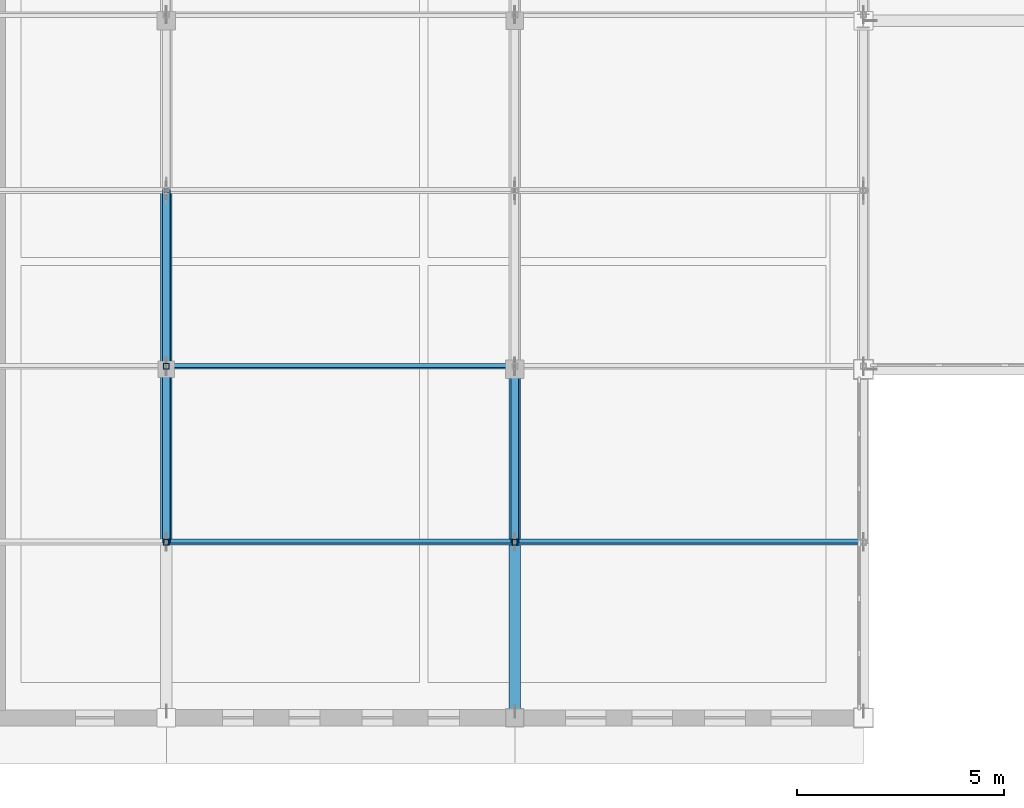
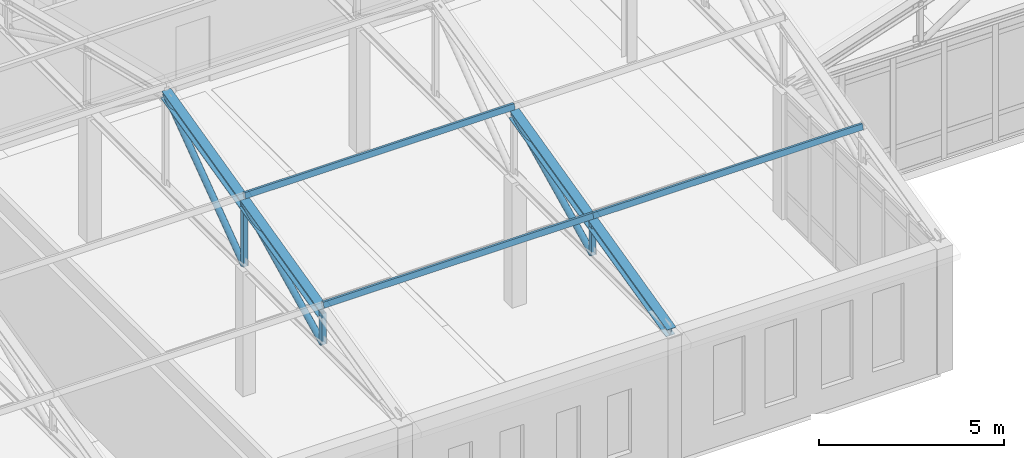
# One storey, part 27 of 192: 13 members.
"""IFC4 building model written with IfcOpenShell, lengths in metres."""

from ifc_helpers import new_model, si_unit, direction, frame, origin, origin_2d, place, context, subcontext, project, spatial, hollow_rectangle, hollow_circle, i_section, extrude, material, material_profile, profile_set, type_object, element, save


model = new_model("IFC4")

# Units and contexts
model_context = context("Model", 3, precision=1e-05, world=origin(), true_north=direction((0.0, 1.0)))
body_context = subcontext(model_context, "Body", "Model", "MODEL_VIEW")
ifc_project = project(units=[si_unit("LENGTHUNIT", "METRE"), si_unit("AREAUNIT", "SQUARE_METRE"), si_unit("VOLUMEUNIT", "CUBIC_METRE"), si_unit("PLANEANGLEUNIT", "RADIAN"), si_unit("MASSUNIT", "GRAM", prefix="KILO")], contexts=[model_context])

# Site, building, storey
site_placement = place(None, origin())
site = spatial("IfcSite", under=ifc_project, at=site_placement, CompositionType="ELEMENT")
building_placement = place(site_placement, origin())
building = spatial("IfcBuilding", under=site, at=building_placement, Name="Kveldsbrygga Polytechnic", CompositionType="ELEMENT")
storey_placement = place(building_placement, frame((0.0, 0.0, 5.43994140625)))
storey = spatial("IfcBuildingStorey", under=building, at=storey_placement, Name="L01", CompositionType="ELEMENT", Elevation=5.43994140625)

# Members
ifc_material = material(Name="Steel S355", Category="steel")
ifc_material_profile_1 = material_profile(ifc_material, hollow_rectangle(XDim=0.10009765625, YDim=0.179931640625, WallThickness=0.008056640625, at=origin_2d()), Name="RHS 180x100x8.0")
ifc_profile_set_1 = profile_set([ifc_material_profile_1], Name="Steel S355")
member_type_1 = type_object("IfcMemberType", Name="PRL-RHS180", PredefinedType="PURLIN", material=ifc_profile_set_1)
for number, where, z_axis, x_axis, name in (
    (1, (33.60009765625, 4.236572265625, 5.39013671875), (1.0, 0.0, 0.0), (0.0, 0.971520177509, -0.236956841415), "Roof Purlin V5S-PRL-5-1"),
    (2, (33.60009765625, 8.473388671875, 6.423583984375), (1.0, 0.0, 0.0), (0.0, 0.971520177509, -0.236956841415), "Roof Purlin V5S-PRL-5-2"),
    (3, (42.0, 4.236572265625, 5.39013671875), (1.0, 0.0, 0.0), (0.0, 0.971520177509, -0.236956841415), "Roof Purlin V5S-PRL-6-1"),
):
    element("IfcMember", number, at=place(storey_placement, frame(where, z_axis=z_axis, x_axis=x_axis)), inside=storey, type_object=member_type_1, Name=name, PredefinedType="PURLIN", context=body_context, shape_type="SweptSolid", body=[
        extrude(hollow_rectangle(XDim=0.10009765625, YDim=0.179931640625, WallThickness=0.008056640625, at=origin_2d()), origin(), (0.0, 0.0, 1.0), 8.39990234375),
    ])
ifc_material_profile_2 = material_profile(ifc_material, hollow_circle(Radius=0.096923828125, WallThickness=0.010009765625, at=origin_2d()), Name="CHS 193.7x10.0")
ifc_profile_set_2 = profile_set([ifc_material_profile_2], Name="Steel S355")
member_type_2 = type_object("IfcMemberType", Name="TR-DIAG-CHS194", PredefinedType="BRACE", material=ifc_profile_set_2)
member_1_placement = place(storey_placement, frame((33.60009765625, 4.236572265625, 4.1201171875), z_axis=(0.0, 0.898775911737, 0.438408326199), x_axis=(-1.0, 0.0, 0.0)))
element("IfcMember", 4, at=member_1_placement, inside=storey, type_object=member_type_2, Name="Truss Diagonal V5S-T05-DG-2", PredefinedType="BRACE", context=body_context, shape_type="SweptSolid", body=[
    extrude(hollow_circle(Radius=0.096923828125, WallThickness=0.010009765625, at=origin_2d()), origin(), (0.0, 0.0, 1.0), 4.7138671875),
])
member_2_placement = place(storey_placement, frame((33.60009765625, 8.473388671875, 4.1201171875), z_axis=(0.0, 0.807037353017, 0.590500390207), x_axis=(-1.0, 0.0, 0.0)))
element("IfcMember", 5, at=member_2_placement, inside=storey, type_object=member_type_2, Name="Truss Diagonal V5S-T05-DG-3", PredefinedType="BRACE", context=body_context, shape_type="SweptSolid", body=[
    extrude(hollow_circle(Radius=0.096923828125, WallThickness=0.010009765625, at=origin_2d()), origin(), (0.0, 0.0, 1.0), 5.24951171875),
])
member_3_placement = place(storey_placement, frame((42.0, 4.236572265625, 4.1201171875), z_axis=(0.0, 0.898775911737, 0.438408326199), x_axis=(-1.0, 0.0, 0.0)))
element("IfcMember", 6, at=member_3_placement, inside=storey, type_object=member_type_2, Name="Truss Diagonal V5S-T06-DG-2", PredefinedType="BRACE", context=body_context, shape_type="SweptSolid", body=[
    extrude(hollow_circle(Radius=0.096923828125, WallThickness=0.010009765625, at=origin_2d()), origin(), (0.0, 0.0, 1.0), 4.7138671875),
])
ifc_material_profile_3 = material_profile(ifc_material, hollow_rectangle(XDim=0.139892578125, YDim=0.139892578125, WallThickness=0.008056640625, at=origin_2d()), Name="SHS 140x140x8.0")
ifc_profile_set_3 = profile_set([ifc_material_profile_3], Name="Steel S355")
member_type_3 = type_object("IfcMemberType", Name="TR-POST-SHS140", PredefinedType="STRUT", material=ifc_profile_set_3)
member_4_placement = place(storey_placement, frame((33.60009765625, 4.236572265625, 4.1201171875), z_axis=(0.0, 0.0, 1.0), x_axis=(1.0, 0.0, 0.0)))
element("IfcMember", 7, at=member_4_placement, inside=storey, type_object=member_type_3, Name="Truss Vertical V5S-T05-VT-1", PredefinedType="STRUT", context=body_context, shape_type="SweptSolid", body=[
    extrude(hollow_rectangle(XDim=0.139892578125, YDim=0.139892578125, WallThickness=0.008056640625, at=origin_2d()), origin(), (0.0, 0.0, 1.0), 1.033203125),
])
member_5_placement = place(storey_placement, frame((33.60009765625, 8.473388671875, 4.1201171875), z_axis=(0.0, 0.0, 1.0), x_axis=(1.0, 0.0, 0.0)))
element("IfcMember", 8, at=member_5_placement, inside=storey, type_object=member_type_3, Name="Truss Vertical V5S-T05-VT-2", PredefinedType="STRUT", context=body_context, shape_type="SweptSolid", body=[
    extrude(hollow_rectangle(XDim=0.139892578125, YDim=0.139892578125, WallThickness=0.008056640625, at=origin_2d()), origin(), (0.0, 0.0, 1.0), 2.066650390625),
])
member_6_placement = place(storey_placement, frame((42.0, 4.236572265625, 4.1201171875), z_axis=(0.0, 0.0, 1.0), x_axis=(1.0, 0.0, 0.0)))
element("IfcMember", 9, at=member_6_placement, inside=storey, type_object=member_type_3, Name="Truss Vertical V5S-T06-VT-1", PredefinedType="STRUT", context=body_context, shape_type="SweptSolid", body=[
    extrude(hollow_rectangle(XDim=0.139892578125, YDim=0.139892578125, WallThickness=0.008056640625, at=origin_2d()), origin(), (0.0, 0.0, 1.0), 1.033203125),
])
ifc_material_profile_4 = material_profile(ifc_material, i_section(OverallWidth=0.280029296875, OverallDepth=0.280029296875, WebThickness=0.010498046875, FlangeThickness=0.01806640625, FilletRadius=0.02392578125, at=origin_2d()), Name="HEB 280")
ifc_profile_set_4 = profile_set([ifc_material_profile_4], Name="Steel S355")
member_type_4 = type_object("IfcMemberType", Name="TR-TOP-HEB280", PredefinedType="CHORD", material=ifc_profile_set_4)
member_7_placement = place(storey_placement, frame((33.60009765625, 4.236572265625, 5.1533203125), z_axis=(0.0, 0.971516252342, 0.236972933973), x_axis=(-1.0, 0.0, 0.0)))
element("IfcMember", 10, at=member_7_placement, inside=storey, type_object=member_type_4, Name="Truss Top Chord V5S-T05-TC-2", PredefinedType="CHORD", context=body_context, shape_type="SweptSolid", body=[
    extrude(i_section(OverallWidth=0.280029296875, OverallDepth=0.280029296875, WebThickness=0.010498046875, FlangeThickness=0.01806640625, FilletRadius=0.02392578125, at=origin_2d()), origin(), (0.0, 0.0, 1.0), 4.361083984375),
])
for number, where, z_axis, x_axis, name in (
    (11, (33.60009765625, 8.473388671875, 6.186767578125), (0.0, 0.971525996838, 0.236932980961), (-1.0, 0.0, 0.0), "Truss Top Chord V5S-T05-TC-3"),
    (12, (42.0, 0.0, 4.1201171875), (0.0, 0.971525996838, 0.236932980961), (-1.0, 0.0, 0.0), "Truss Top Chord V5S-T06-TC-1"),
):
    element("IfcMember", number, at=place(storey_placement, frame(where, z_axis=z_axis, x_axis=x_axis)), inside=storey, type_object=member_type_4, Name=name, PredefinedType="CHORD", context=body_context, shape_type="SweptSolid", body=[
        extrude(i_section(OverallWidth=0.280029296875, OverallDepth=0.280029296875, WebThickness=0.010498046875, FlangeThickness=0.01806640625, FilletRadius=0.02392578125, at=origin_2d()), origin(), (0.0, 0.0, 1.0), 4.36083984375),
    ])
member_8_placement = place(storey_placement, frame((42.0, 4.236572265625, 5.1533203125), z_axis=(0.0, 0.971516252342, 0.236972933973), x_axis=(-1.0, 0.0, 0.0)))
element("IfcMember", 13, at=member_8_placement, inside=storey, type_object=member_type_4, Name="Truss Top Chord V5S-T06-TC-2", PredefinedType="CHORD", context=body_context, shape_type="SweptSolid", body=[
    extrude(i_section(OverallWidth=0.280029296875, OverallDepth=0.280029296875, WebThickness=0.010498046875, FlangeThickness=0.01806640625, FilletRadius=0.02392578125, at=origin_2d()), origin(), (0.0, 0.0, 1.0), 4.361083984375),
])

save(model, "model.ifc")
